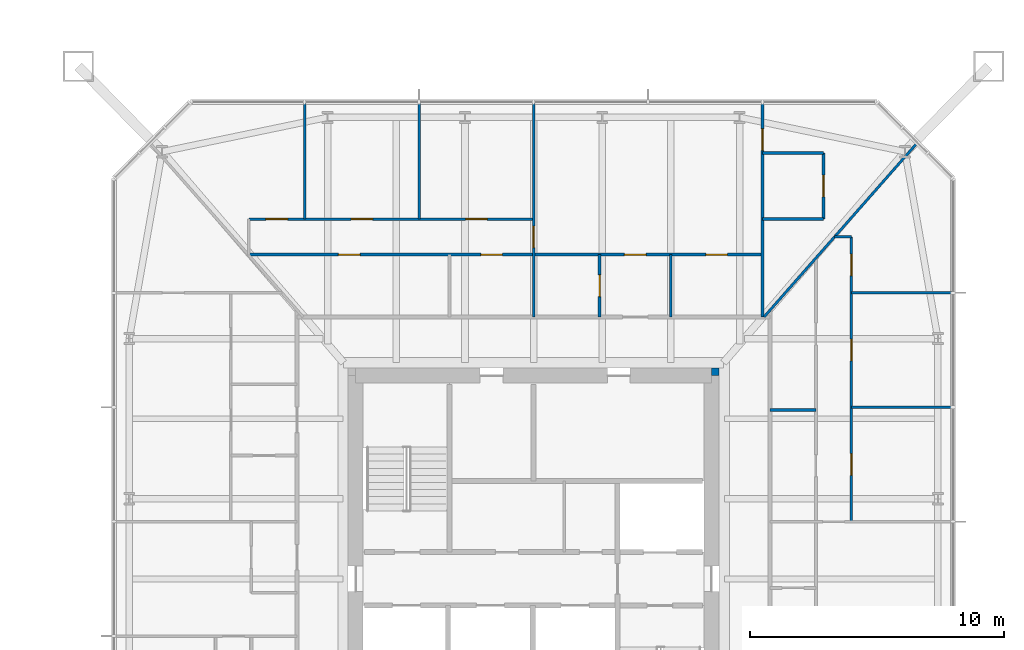
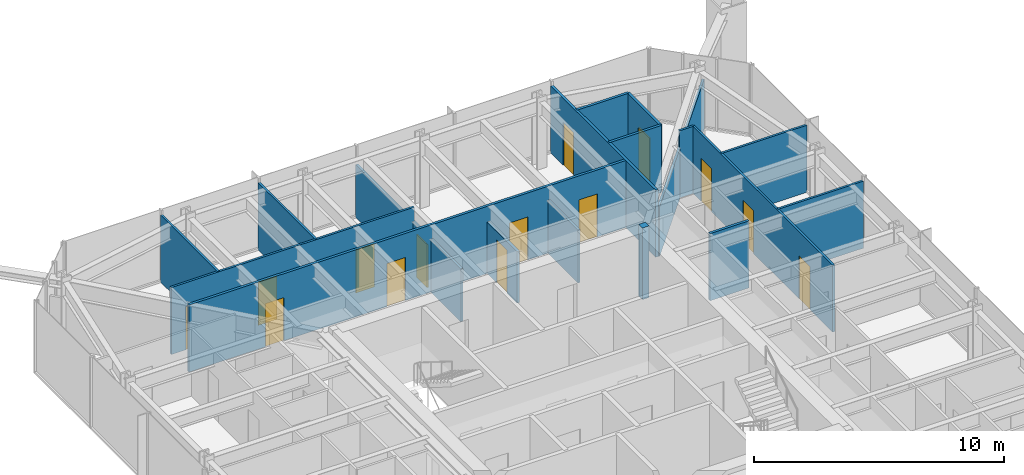
# One storey, part 21 of 26: 18 walls, 14 doors, 14 openings.
"""IFC4 building model written with IfcOpenShell, lengths in metres."""

from ifc_helpers import new_model, si_unit, direction, frame, frame_2d, origin, place, context, subcontext, project, spatial, rectangle, extrude, material, layer, layer_set, type_object, element, fill, save


model = new_model("IFC4")

# Units and contexts
model_context = context("Model", 3, precision=1e-05, world=origin(), true_north=direction((0.0, 1.0)))
body_context = subcontext(model_context, "Body", "Model", "MODEL_VIEW")
ifc_project = project(units=[si_unit("LENGTHUNIT", "METRE"), si_unit("AREAUNIT", "SQUARE_METRE"), si_unit("VOLUMEUNIT", "CUBIC_METRE"), si_unit("PLANEANGLEUNIT", "RADIAN"), si_unit("MASSUNIT", "GRAM", prefix="KILO")], contexts=[model_context])

# Site, building, storey
site_placement = place(None, origin())
site = spatial("IfcSite", under=ifc_project, at=site_placement, CompositionType="ELEMENT")
building_placement = place(site_placement, origin())
building = spatial("IfcBuilding", under=site, at=building_placement, Name="Iwan Alto Co-Living Towers", CompositionType="ELEMENT")
storey_placement = place(building_placement, frame((0.0, 0.0, 60.5)))
storey = spatial("IfcBuildingStorey", under=building, at=storey_placement, Name="L16", CompositionType="ELEMENT", Elevation=60.5)

# Walls
ifc_material_1 = material(Name="Gypsum board")
ifc_layer_1 = layer(ifc_material_1, 0.012451171875, Name="Board", Category="Finish")
ifc_material_2 = material(Name="Steel ASTM A1003 ST33H cold-formed studs", Category="steel")
ifc_layer_2 = layer(ifc_material_2, 0.074951171875, Name="Studs", Category="Framing")
ifc_layer_3 = layer(ifc_material_1, 0.012451171875, Name="Board", Category="Finish")
ifc_layer_set_1 = layer_set([ifc_layer_1, ifc_layer_2, ifc_layer_3], Name="PARTITION 100")
wall_type_1 = type_object("IfcWallType", Name="PARTITION 100", PredefinedType="PARTITIONING", material=ifc_layer_set_1)
for number, where, z_axis, x_axis, name in (
    (1, (75.5, 6.75, 0.0), (0.0, 0.0, 1.0), (1.0, 0.0, 0.0), "Partition L16"),
    (2, (75.5, 11.25, 0.0), (0.0, 0.0, 1.0), (1.0, 0.0, 0.0), "Partition L16"),
):
    element("IfcWall", number, at=place(storey_placement, frame(where, z_axis=z_axis, x_axis=x_axis)), inside=storey, type_object=wall_type_1, Name=name, PredefinedType="PARTITIONING", context=body_context, shape_type="SweptSolid", body=[
        extrude(rectangle(XDim=3.93994140625, YDim=0.10009765625, at=frame_2d((1.969970703125, 0.0))), origin(), (0.0, 0.0, 1.0), 3.27001953125),
    ])
wall_1_placement = place(storey_placement, frame((74.8359375, 13.449951171875, 0.0), z_axis=(0.0, 0.0, 1.0), x_axis=(1.0, 0.0, 0.0)))
element("IfcWall", 3, at=wall_1_placement, inside=storey, type_object=wall_type_1, Name="Partition L16", PredefinedType="PARTITIONING", context=body_context, shape_type="SweptSolid", body=[
    extrude(rectangle(XDim=0.6640625, YDim=0.10009765625, at=frame_2d((0.33203125, 0.0))), origin(), (0.0, 0.0, 1.0), 3.27001953125),
])

# Wall, openings, doors
wall_2_placement = place(storey_placement, frame((51.800048828125, 14.14990234375, 0.0), z_axis=(0.0, 0.0, 1.0), x_axis=(1.0, 0.0, 0.0)))
wall_2 = element("IfcWall", 4, at=wall_2_placement, inside=storey, type_object=wall_type_1, Name="Partition L16", PredefinedType="PARTITIONING", context=body_context, shape_type="SweptSolid", body=[
    extrude(rectangle(XDim=11.199951171875, YDim=0.10009765625, at=frame_2d((5.60009765625, 0.0))), origin(), (0.0, 0.0, 1.0), 3.27001953125),
])
opening_1_placement = place(wall_2_placement, frame((8.52490234375, 0.0, 0.0)))
opening_1 = element("IfcOpeningElement", 5, at=opening_1_placement, cuts=wall_2, Name="Opening D2", PredefinedType="OPENING", context=body_context, shape_type="SweptSolid", body=[
    extrude(rectangle(XDim=0.85009765625, YDim=2.10009765625, at=frame_2d((0.425048828125, 1.050048828125))), frame((0.0, 0.06005859375, 0.0), z_axis=(0.0, -1.0, 0.0), x_axis=(1.0, 0.0, 0.0)), (0.0, 0.0, 1.0), 0.1201171875),
])
opening_2_placement = place(wall_2_placement, frame((4.02490234375, 0.0, 0.0)))
opening_2 = element("IfcOpeningElement", 6, at=opening_2_placement, cuts=wall_2, Name="Opening D2", PredefinedType="OPENING", context=body_context, shape_type="SweptSolid", body=[
    extrude(rectangle(XDim=0.85009765625, YDim=2.10009765625, at=frame_2d((0.425048828125, 1.050048828125))), frame((0.0, 0.06005859375, 0.0), z_axis=(0.0, -1.0, 0.0), x_axis=(1.0, 0.0, 0.0)), (0.0, 0.0, 1.0), 0.1201171875),
])
opening_3_placement = place(wall_2_placement, frame((0.675048828125, 0.0, 0.0)))
opening_3 = element("IfcOpeningElement", 7, at=opening_3_placement, cuts=wall_2, Name="Opening D2", PredefinedType="OPENING", context=body_context, shape_type="SweptSolid", body=[
    extrude(rectangle(XDim=0.85009765625, YDim=2.10009765625, at=frame_2d((0.425048828125, 1.050048828125))), frame((0.0, 0.06005859375, 0.0), z_axis=(0.0, -1.0, 0.0), x_axis=(1.0, 0.0, 0.0)), (0.0, 0.0, 1.0), 0.1201171875),
])
ifc_material_3 = material(Name="Timber leaf in steel frame", Category="steel")
door_type = type_object("IfcDoorType", Name="ROOM DOOR 850X2100", OperationType="SINGLE_SWING_LEFT", PredefinedType="DOOR", material=ifc_material_3)
door_1_placement = place(opening_1_placement, origin())
door_1 = element("IfcDoor", 8, at=door_1_placement, inside=storey, type_object=door_type, Name="Study door L16", OperationType="SINGLE_SWING_LEFT", OverallHeight=2.10009765625, OverallWidth=0.85009765625, PredefinedType="DOOR", context=body_context, shape_type="SweptSolid", body=[
    extrude(rectangle(XDim=0.85009765625, YDim=2.10009765625, at=frame_2d((0.425048828125, 1.050048828125))), frame((0.0, 0.02490234375, 0.0), z_axis=(0.0, -1.0, 0.0), x_axis=(1.0, 0.0, 0.0)), (0.0, 0.0, 1.0), 0.050048828125),
])
fill(opening_1, door_1)
door_2_placement = place(opening_2_placement, origin())
door_2 = element("IfcDoor", 9, at=door_2_placement, inside=storey, type_object=door_type, Name="Bedroom door L16", OperationType="SINGLE_SWING_LEFT", OverallHeight=2.10009765625, OverallWidth=0.85009765625, PredefinedType="DOOR", context=body_context, shape_type="SweptSolid", body=[
    extrude(rectangle(XDim=0.85009765625, YDim=2.10009765625, at=frame_2d((0.425048828125, 1.050048828125))), frame((0.0, 0.02490234375, 0.0), z_axis=(0.0, -1.0, 0.0), x_axis=(1.0, 0.0, 0.0)), (0.0, 0.0, 1.0), 0.050048828125),
])
fill(opening_2, door_2)
door_3_placement = place(opening_3_placement, origin())
door_3 = element("IfcDoor", 10, at=door_3_placement, inside=storey, type_object=door_type, Name="Bedroom door L16", OperationType="SINGLE_SWING_RIGHT", OverallHeight=2.10009765625, OverallWidth=0.85009765625, PredefinedType="DOOR", context=body_context, shape_type="SweptSolid", body=[
    extrude(rectangle(XDim=0.85009765625, YDim=2.10009765625, at=frame_2d((0.425048828125, 1.050048828125))), frame((0.0, 0.02490234375, 0.0), z_axis=(0.0, -1.0, 0.0), x_axis=(1.0, 0.0, 0.0)), (0.0, 0.0, 1.0), 0.050048828125),
])
fill(opening_3, door_3)

# Wall
wall_3_placement = place(storey_placement, frame((72.06396484375, 10.300048828125, 0.0), z_axis=(0.0, 0.0, 1.0), x_axis=(0.660700699661, 0.750649442461, 0.0)))
element("IfcWall", 11, at=wall_3_placement, inside=storey, type_object=wall_type_1, Name="Partition L16", PredefinedType="PARTITIONING", context=body_context, shape_type="SweptSolid", body=[
    extrude(rectangle(XDim=9.07080078125, YDim=0.10009765625, at=frame_2d((4.535400390625, 0.0))), origin(), (0.0, 0.0, 1.0), 2.42919921875),
])

# Wall, openings, doors
wall_4_placement = place(storey_placement, frame((75.5, 2.25, 0.0), z_axis=(0.0, 0.0, 1.0), x_axis=(0.0, 1.0, 0.0)))
wall_4 = element("IfcWall", 12, at=wall_4_placement, inside=storey, type_object=wall_type_1, Name="Partition L16", PredefinedType="PARTITIONING", context=body_context, shape_type="SweptSolid", body=[
    extrude(rectangle(XDim=11.199951171875, YDim=0.10009765625, at=frame_2d((5.60009765625, 0.0))), origin(), (0.0, 0.0, 1.0), 3.27001953125),
])
opening_4_placement = place(wall_4_placement, frame((1.824951171875, 0.0, 0.0)))
opening_4 = element("IfcOpeningElement", 13, at=opening_4_placement, cuts=wall_4, Name="Opening D2", PredefinedType="OPENING", context=body_context, shape_type="SweptSolid", body=[
    extrude(rectangle(XDim=0.85009765625, YDim=2.10009765625, at=frame_2d((0.425048828125, 1.050048828125))), frame((0.0, 0.06005859375, 0.0), z_axis=(0.0, -1.0, 0.0), x_axis=(1.0, 0.0, 0.0)), (0.0, 0.0, 1.0), 0.1201171875),
])
opening_5_placement = place(wall_4_placement, frame((6.324951171875, 0.0, 0.0)))
opening_5 = element("IfcOpeningElement", 14, at=opening_5_placement, cuts=wall_4, Name="Opening D2", PredefinedType="OPENING", context=body_context, shape_type="SweptSolid", body=[
    extrude(rectangle(XDim=0.85009765625, YDim=2.10009765625, at=frame_2d((0.425048828125, 1.050048828125))), frame((0.0, 0.06005859375, 0.0), z_axis=(0.0, -1.0, 0.0), x_axis=(1.0, 0.0, 0.0)), (0.0, 0.0, 1.0), 0.1201171875),
])
opening_6_placement = place(wall_4_placement, frame((9.675048828125, 0.0, 0.0)))
opening_6 = element("IfcOpeningElement", 15, at=opening_6_placement, cuts=wall_4, Name="Opening D2", PredefinedType="OPENING", context=body_context, shape_type="SweptSolid", body=[
    extrude(rectangle(XDim=0.85009765625, YDim=2.10009765625, at=frame_2d((0.425048828125, 1.050048828125))), frame((0.0, 0.06005859375, 0.0), z_axis=(0.0, -1.0, 0.0), x_axis=(1.0, 0.0, 0.0)), (0.0, 0.0, 1.0), 0.1201171875),
])
door_4_placement = place(opening_4_placement, frame((0.85009765625, 0.0, 0.0), z_axis=(0.0, 0.0, 1.0), x_axis=(-1.0, 0.0, 0.0)))
door_4 = element("IfcDoor", 16, at=door_4_placement, inside=storey, type_object=door_type, Name="Family room door L16", OperationType="SINGLE_SWING_RIGHT", OverallHeight=2.10009765625, OverallWidth=0.85009765625, PredefinedType="DOOR", context=body_context, shape_type="SweptSolid", body=[
    extrude(rectangle(XDim=0.85009765625, YDim=2.10009765625, at=frame_2d((0.425048828125, 1.050048828125))), frame((0.0, 0.02490234375, 0.0), z_axis=(0.0, -1.0, 0.0), x_axis=(1.0, 0.0, 0.0)), (0.0, 0.0, 1.0), 0.050048828125),
])
fill(opening_4, door_4)
door_5_placement = place(opening_5_placement, frame((0.85009765625, 0.0, 0.0), z_axis=(0.0, 0.0, 1.0), x_axis=(-1.0, 0.0, 0.0)))
door_5 = element("IfcDoor", 17, at=door_5_placement, inside=storey, type_object=door_type, Name="Bedroom door L16", OperationType="SINGLE_SWING_RIGHT", OverallHeight=2.10009765625, OverallWidth=0.85009765625, PredefinedType="DOOR", context=body_context, shape_type="SweptSolid", body=[
    extrude(rectangle(XDim=0.85009765625, YDim=2.10009765625, at=frame_2d((0.425048828125, 1.050048828125))), frame((0.0, 0.02490234375, 0.0), z_axis=(0.0, -1.0, 0.0), x_axis=(1.0, 0.0, 0.0)), (0.0, 0.0, 1.0), 0.050048828125),
])
fill(opening_5, door_5)
door_6_placement = place(opening_6_placement, frame((0.85009765625, 0.0, 0.0), z_axis=(0.0, 0.0, 1.0), x_axis=(-1.0, 0.0, 0.0)))
door_6 = element("IfcDoor", 18, at=door_6_placement, inside=storey, type_object=door_type, Name="Study door L16", OperationType="SINGLE_SWING_RIGHT", OverallHeight=2.10009765625, OverallWidth=0.85009765625, PredefinedType="DOOR", context=body_context, shape_type="SweptSolid", body=[
    extrude(rectangle(XDim=0.85009765625, YDim=2.10009765625, at=frame_2d((0.425048828125, 1.050048828125))), frame((0.0, 0.02490234375, 0.0), z_axis=(0.0, -1.0, 0.0), x_axis=(1.0, 0.0, 0.0)), (0.0, 0.0, 1.0), 0.050048828125),
])
fill(opening_6, door_6)

# Wall
wall_5_placement = place(storey_placement, frame((68.39990234375, 10.300048828125, 0.0), z_axis=(0.0, 0.0, 1.0), x_axis=(0.0, 1.0, 0.0)))
element("IfcWall", 19, at=wall_5_placement, inside=storey, type_object=wall_type_1, Name="Partition L16", PredefinedType="PARTITIONING", context=body_context, shape_type="SweptSolid", body=[
    extrude(rectangle(XDim=2.449951171875, YDim=0.10009765625, at=frame_2d((1.22509765625, 0.0))), origin(), (0.0, 0.0, 1.0), 2.586669921875),
])

# Wall, opening, door
wall_6_placement = place(storey_placement, frame((63.0, 10.300048828125, 0.0), z_axis=(0.0, 0.0, 1.0), x_axis=(0.0, 1.0, 0.0)))
wall_6 = element("IfcWall", 20, at=wall_6_placement, inside=storey, type_object=wall_type_1, Name="Partition L16", PredefinedType="PARTITIONING", context=body_context, shape_type="SweptSolid", body=[
    extrude(rectangle(XDim=8.389892578125, YDim=0.10009765625, at=frame_2d((4.19482421875, 0.0))), origin(), (0.0, 0.0, 1.0), 2.586669921875),
])
opening_7_placement = place(wall_6_placement, frame((2.72509765625, 0.0, 0.0)))
opening_7 = element("IfcOpeningElement", 21, at=opening_7_placement, cuts=wall_6, Name="Opening D2", PredefinedType="OPENING", context=body_context, shape_type="SweptSolid", body=[
    extrude(rectangle(XDim=0.85009765625, YDim=2.10009765625, at=frame_2d((0.425048828125, 1.050048828125))), frame((0.0, 0.06005859375, 0.0), z_axis=(0.0, -1.0, 0.0), x_axis=(1.0, 0.0, 0.0)), (0.0, 0.0, 1.0), 0.1201171875),
])
door_7_placement = place(opening_7_placement, frame((0.85009765625, 0.0, 0.0), z_axis=(0.0, 0.0, 1.0), x_axis=(-1.0, 0.0, 0.0)))
door_7 = element("IfcDoor", 22, at=door_7_placement, inside=storey, type_object=door_type, Name="Apartment hall door L16", OperationType="SINGLE_SWING_RIGHT", OverallHeight=2.10009765625, OverallWidth=0.85009765625, PredefinedType="DOOR", context=body_context, shape_type="SweptSolid", body=[
    extrude(rectangle(XDim=0.85009765625, YDim=2.10009765625, at=frame_2d((0.425048828125, 1.050048828125))), frame((0.0, 0.02490234375, 0.0), z_axis=(0.0, -1.0, 0.0), x_axis=(1.0, 0.0, 0.0)), (0.0, 0.0, 1.0), 0.050048828125),
])
fill(opening_7, door_7)

# Walls
for number, where, z_axis, x_axis, name in (
    (23, (58.5, 14.14990234375, 0.0), (0.0, 0.0, 1.0), (0.0, 1.0, 0.0), "Partition L16"),
    (24, (54.0, 14.14990234375, 0.0), (0.0, 0.0, 1.0), (0.0, 1.0, 0.0), "Partition L16"),
):
    element("IfcWall", number, at=place(storey_placement, frame(where, z_axis=z_axis, x_axis=x_axis)), inside=storey, type_object=wall_type_1, Name=name, PredefinedType="PARTITIONING", context=body_context, shape_type="SweptSolid", body=[
        extrude(rectangle(XDim=4.5400390625, YDim=0.10009765625, at=frame_2d((2.27001953125, 0.0))), origin(), (0.0, 0.0, 1.0), 3.27001953125),
    ])
ifc_material_4 = material(Name="Concrete f'c 70 MPa", Category="concrete")
ifc_layer_4 = layer(ifc_material_4, 0.300048828125)
ifc_layer_set_2 = layer_set([ifc_layer_4], Name="T2 CORE CORNER FILL 300")
wall_type_2 = type_object("IfcWallType", Name="T2 CORE CORNER FILL 300", PredefinedType="SOLIDWALL", material=ifc_layer_set_2)
wall_7_placement = place(storey_placement, frame((70.0, 8.14990234375, 0.0), z_axis=(0.0, 0.0, 1.0), x_axis=(1.0, 0.0, 0.0)))
element("IfcWall", 25, at=wall_7_placement, inside=storey, type_object=wall_type_2, Name="T2 core corner NE L16", PredefinedType="SOLIDWALL", context=body_context, shape_type="SweptSolid", body=[
    extrude(rectangle(XDim=0.300048828125, YDim=0.300048828125, at=frame_2d((0.14990234375, 0.0))), origin(), (0.0, 0.0, 1.0), 3.5),
])
ifc_material_5 = material(Name="Cement board")
ifc_layer_5 = layer(ifc_material_5, 0.012451171875, Name="Board", Category="Finish")
ifc_layer_6 = layer(ifc_material_2, 0.094970703125, Name="Studs", Category="Framing")
ifc_layer_7 = layer(ifc_material_5, 0.012451171875, Name="Board", Category="Finish")
ifc_layer_set_3 = layer_set([ifc_layer_5, ifc_layer_6, ifc_layer_7], Name="WET AREA PARTITION 120")
wall_type_3 = type_object("IfcWallType", Name="WET AREA PARTITION 120", PredefinedType="PARTITIONING", material=ifc_layer_set_3)
wall_8_placement = place(storey_placement, frame((72.300048828125, 6.64990234375, 0.0), z_axis=(0.0, 0.0, 1.0), x_axis=(1.0, 0.0, 0.0)))
element("IfcWall", 26, at=wall_8_placement, inside=storey, type_object=wall_type_3, Name="Partition L16", PredefinedType="PARTITIONING", context=body_context, shape_type="SweptSolid", body=[
    extrude(rectangle(XDim=1.800048828125, YDim=0.1201171875, at=frame_2d((0.89990234375, 0.0))), origin(), (0.0, 0.0, 1.0), 3.27001953125),
])

# Wall, openings, doors
wall_9_placement = place(storey_placement, frame((51.800048828125, 12.75, 0.0), z_axis=(0.0, 0.0, 1.0), x_axis=(1.0, 0.0, 0.0)))
wall_9 = element("IfcWall", 27, at=wall_9_placement, inside=storey, type_object=wall_type_3, Name="Partition L16", PredefinedType="PARTITIONING", context=body_context, shape_type="SweptSolid", body=[
    extrude(rectangle(XDim=20.199951171875, YDim=0.1201171875, at=frame_2d((10.10009765625, 0.0))), origin(), (0.0, 0.0, 1.0), 3.27001953125),
])
opening_8_placement = place(wall_9_placement, frame((17.97509765625, 0.0, 0.0)))
opening_8 = element("IfcOpeningElement", 28, at=opening_8_placement, cuts=wall_9, Name="Opening D2", PredefinedType="OPENING", context=body_context, shape_type="SweptSolid", body=[
    extrude(rectangle(XDim=0.85009765625, YDim=2.10009765625, at=frame_2d((0.425048828125, 1.050048828125))), frame((0.0, 0.070068359375, 0.0), z_axis=(0.0, -1.0, 0.0), x_axis=(1.0, 0.0, 0.0)), (0.0, 0.0, 1.0), 0.14013671875),
])
opening_9_placement = place(wall_9_placement, frame((14.77490234375, 0.0, 0.0)))
opening_9 = element("IfcOpeningElement", 29, at=opening_9_placement, cuts=wall_9, Name="Opening D2", PredefinedType="OPENING", context=body_context, shape_type="SweptSolid", body=[
    extrude(rectangle(XDim=0.85009765625, YDim=2.10009765625, at=frame_2d((0.425048828125, 1.050048828125))), frame((0.0, 0.070068359375, 0.0), z_axis=(0.0, -1.0, 0.0), x_axis=(1.0, 0.0, 0.0)), (0.0, 0.0, 1.0), 0.14013671875),
])
opening_10_placement = place(wall_9_placement, frame((9.125, 0.0, 0.0)))
opening_10 = element("IfcOpeningElement", 30, at=opening_10_placement, cuts=wall_9, Name="Opening D2", PredefinedType="OPENING", context=body_context, shape_type="SweptSolid", body=[
    extrude(rectangle(XDim=0.85009765625, YDim=2.10009765625, at=frame_2d((0.425048828125, 1.050048828125))), frame((0.0, 0.070068359375, 0.0), z_axis=(0.0, -1.0, 0.0), x_axis=(1.0, 0.0, 0.0)), (0.0, 0.0, 1.0), 0.14013671875),
])
opening_11_placement = place(wall_9_placement, frame((3.52490234375, 0.0, 0.0)))
opening_11 = element("IfcOpeningElement", 31, at=opening_11_placement, cuts=wall_9, Name="Opening D2", PredefinedType="OPENING", context=body_context, shape_type="SweptSolid", body=[
    extrude(rectangle(XDim=0.85009765625, YDim=2.10009765625, at=frame_2d((0.425048828125, 1.050048828125))), frame((0.0, 0.070068359375, 0.0), z_axis=(0.0, -1.0, 0.0), x_axis=(1.0, 0.0, 0.0)), (0.0, 0.0, 1.0), 0.14013671875),
])
door_8_placement = place(opening_8_placement, origin())
door_8 = element("IfcDoor", 32, at=door_8_placement, inside=storey, type_object=door_type, Name="Kitchen door L16", OperationType="SINGLE_SWING_RIGHT", OverallHeight=2.10009765625, OverallWidth=0.85009765625, PredefinedType="DOOR", context=body_context, shape_type="SweptSolid", body=[
    extrude(rectangle(XDim=0.85009765625, YDim=2.10009765625, at=frame_2d((0.425048828125, 1.050048828125))), frame((0.0, 0.02490234375, 0.0), z_axis=(0.0, -1.0, 0.0), x_axis=(1.0, 0.0, 0.0)), (0.0, 0.0, 1.0), 0.050048828125),
])
fill(opening_8, door_8)
door_9_placement = place(opening_9_placement, origin())
door_9 = element("IfcDoor", 33, at=door_9_placement, inside=storey, type_object=door_type, Name="Apartment foyer door L16", OperationType="SINGLE_SWING_LEFT", OverallHeight=2.10009765625, OverallWidth=0.85009765625, PredefinedType="DOOR", context=body_context, shape_type="SweptSolid", body=[
    extrude(rectangle(XDim=0.85009765625, YDim=2.10009765625, at=frame_2d((0.425048828125, 1.050048828125))), frame((0.0, 0.02490234375, 0.0), z_axis=(0.0, -1.0, 0.0), x_axis=(1.0, 0.0, 0.0)), (0.0, 0.0, 1.0), 0.050048828125),
])
fill(opening_9, door_9)
door_10_placement = place(opening_10_placement, frame((0.85009765625, 0.0, 0.0), z_axis=(0.0, 0.0, 1.0), x_axis=(-1.0, 0.0, 0.0)))
door_10 = element("IfcDoor", 34, at=door_10_placement, inside=storey, type_object=door_type, Name="Utility room door L16", OperationType="SINGLE_SWING_RIGHT", OverallHeight=2.10009765625, OverallWidth=0.85009765625, PredefinedType="DOOR", context=body_context, shape_type="SweptSolid", body=[
    extrude(rectangle(XDim=0.85009765625, YDim=2.10009765625, at=frame_2d((0.425048828125, 1.050048828125))), frame((0.0, 0.02490234375, 0.0), z_axis=(0.0, -1.0, 0.0), x_axis=(1.0, 0.0, 0.0)), (0.0, 0.0, 1.0), 0.050048828125),
])
fill(opening_10, door_10)
door_11_placement = place(opening_11_placement, frame((0.85009765625, 0.0, 0.0), z_axis=(0.0, 0.0, 1.0), x_axis=(-1.0, 0.0, 0.0)))
door_11 = element("IfcDoor", 35, at=door_11_placement, inside=storey, type_object=door_type, Name="Store room door L16", OperationType="SINGLE_SWING_RIGHT", OverallHeight=2.10009765625, OverallWidth=0.85009765625, PredefinedType="DOOR", context=body_context, shape_type="SweptSolid", body=[
    extrude(rectangle(XDim=0.85009765625, YDim=2.10009765625, at=frame_2d((0.425048828125, 1.050048828125))), frame((0.0, 0.02490234375, 0.0), z_axis=(0.0, -1.0, 0.0), x_axis=(1.0, 0.0, 0.0)), (0.0, 0.0, 1.0), 0.050048828125),
])
fill(opening_11, door_11)

# Walls
for number, where, z_axis, x_axis, name in (
    (36, (72.0, 14.14990234375, 0.0), (0.0, 0.0, 1.0), (1.0, 0.0, 0.0), "Partition L16"),
    (37, (72.0, 16.75, 0.0), (0.0, 0.0, 1.0), (1.0, 0.0, 0.0), "Partition L16"),
):
    element("IfcWall", number, at=place(storey_placement, frame(where, z_axis=z_axis, x_axis=x_axis)), inside=storey, type_object=wall_type_3, Name=name, PredefinedType="PARTITIONING", context=body_context, shape_type="SweptSolid", body=[
        extrude(rectangle(XDim=2.39990234375, YDim=0.1201171875, at=frame_2d((1.199951171875, 0.0))), origin(), (0.0, 0.0, 1.0), 3.27001953125),
    ])

# Wall, opening, door
wall_10_placement = place(storey_placement, frame((74.39990234375, 14.14990234375, 0.0), z_axis=(0.0, 0.0, 1.0), x_axis=(0.0, 1.0, 0.0)))
wall_10 = element("IfcWall", 38, at=wall_10_placement, inside=storey, type_object=wall_type_3, Name="Partition L16", PredefinedType="PARTITIONING", context=body_context, shape_type="SweptSolid", body=[
    extrude(rectangle(XDim=2.60009765625, YDim=0.1201171875, at=frame_2d((1.300048828125, 0.0))), origin(), (0.0, 0.0, 1.0), 3.27001953125),
])
opening_12_placement = place(wall_10_placement, frame((0.875, 0.0, 0.0)))
opening_12 = element("IfcOpeningElement", 39, at=opening_12_placement, cuts=wall_10, Name="Opening D2", PredefinedType="OPENING", context=body_context, shape_type="SweptSolid", body=[
    extrude(rectangle(XDim=0.85009765625, YDim=2.10009765625, at=frame_2d((0.425048828125, 1.050048828125))), frame((0.0, 0.070068359375, 0.0), z_axis=(0.0, -1.0, 0.0), x_axis=(1.0, 0.0, 0.0)), (0.0, 0.0, 1.0), 0.14013671875),
])
door_12_placement = place(opening_12_placement, frame((0.85009765625, 0.0, 0.0), z_axis=(0.0, 0.0, 1.0), x_axis=(-1.0, 0.0, 0.0)))
door_12 = element("IfcDoor", 40, at=door_12_placement, inside=storey, type_object=door_type, Name="En-suite shower room door L16", OperationType="SINGLE_SWING_RIGHT", OverallHeight=2.10009765625, OverallWidth=0.85009765625, PredefinedType="DOOR", context=body_context, shape_type="SweptSolid", body=[
    extrude(rectangle(XDim=0.85009765625, YDim=2.10009765625, at=frame_2d((0.425048828125, 1.050048828125))), frame((0.0, 0.02490234375, 0.0), z_axis=(0.0, -1.0, 0.0), x_axis=(1.0, 0.0, 0.0)), (0.0, 0.0, 1.0), 0.050048828125),
])
fill(opening_12, door_12)

wall_11_placement = place(storey_placement, frame((72.0, 10.300048828125, 0.0), z_axis=(0.0, 0.0, 1.0), x_axis=(0.0, 1.0, 0.0)))
wall_11 = element("IfcWall", 41, at=wall_11_placement, inside=storey, type_object=wall_type_3, Name="Partition L16", PredefinedType="PARTITIONING", context=body_context, shape_type="SweptSolid", body=[
    extrude(rectangle(XDim=8.389892578125, YDim=0.1201171875, at=frame_2d((4.19482421875, 0.0))), origin(), (0.0, 0.0, 1.0), 3.27001953125),
])
opening_13_placement = place(wall_11_placement, frame((6.550048828125, 0.0, 0.0)))
opening_13 = element("IfcOpeningElement", 42, at=opening_13_placement, cuts=wall_11, Name="Opening D2", PredefinedType="OPENING", context=body_context, shape_type="SweptSolid", body=[
    extrude(rectangle(XDim=0.85009765625, YDim=2.10009765625, at=frame_2d((0.425048828125, 1.050048828125))), frame((0.0, 0.070068359375, 0.0), z_axis=(0.0, -1.0, 0.0), x_axis=(1.0, 0.0, 0.0)), (0.0, 0.0, 1.0), 0.14013671875),
])
door_13_placement = place(opening_13_placement, origin())
door_13 = element("IfcDoor", 43, at=door_13_placement, inside=storey, type_object=door_type, Name="Bedroom door L16", OperationType="SINGLE_SWING_RIGHT", OverallHeight=2.10009765625, OverallWidth=0.85009765625, PredefinedType="DOOR", context=body_context, shape_type="SweptSolid", body=[
    extrude(rectangle(XDim=0.85009765625, YDim=2.10009765625, at=frame_2d((0.425048828125, 1.050048828125))), frame((0.0, 0.02490234375, 0.0), z_axis=(0.0, -1.0, 0.0), x_axis=(1.0, 0.0, 0.0)), (0.0, 0.0, 1.0), 0.050048828125),
])
fill(opening_13, door_13)

wall_12_placement = place(storey_placement, frame((65.60009765625, 10.300048828125, 0.0), z_axis=(0.0, 0.0, 1.0), x_axis=(0.0, 1.0, 0.0)))
wall_12 = element("IfcWall", 44, at=wall_12_placement, inside=storey, type_object=wall_type_3, Name="Partition L16", PredefinedType="PARTITIONING", context=body_context, shape_type="SweptSolid", body=[
    extrude(rectangle(XDim=2.449951171875, YDim=0.1201171875, at=frame_2d((1.22509765625, 0.0))), origin(), (0.0, 0.0, 1.0), 2.508056640625),
])
opening_14_placement = place(wall_12_placement, frame((0.800048828125, 0.0, 0.0)))
opening_14 = element("IfcOpeningElement", 45, at=opening_14_placement, cuts=wall_12, Name="Opening D2", PredefinedType="OPENING", context=body_context, shape_type="SweptSolid", body=[
    extrude(rectangle(XDim=0.85009765625, YDim=2.10009765625, at=frame_2d((0.425048828125, 1.050048828125))), frame((0.0, 0.070068359375, 0.0), z_axis=(0.0, -1.0, 0.0), x_axis=(1.0, 0.0, 0.0)), (0.0, 0.0, 1.0), 0.14013671875),
])
door_14_placement = place(opening_14_placement, origin())
door_14 = element("IfcDoor", 46, at=door_14_placement, inside=storey, type_object=door_type, Name="Bathroom door L16", OperationType="SINGLE_SWING_LEFT", OverallHeight=2.10009765625, OverallWidth=0.85009765625, PredefinedType="DOOR", context=body_context, shape_type="SweptSolid", body=[
    extrude(rectangle(XDim=0.85009765625, YDim=2.10009765625, at=frame_2d((0.425048828125, 1.050048828125))), frame((0.0, 0.02490234375, 0.0), z_axis=(0.0, -1.0, 0.0), x_axis=(1.0, 0.0, 0.0)), (0.0, 0.0, 1.0), 0.050048828125),
])
fill(opening_14, door_14)

save(model, "model.ifc")
